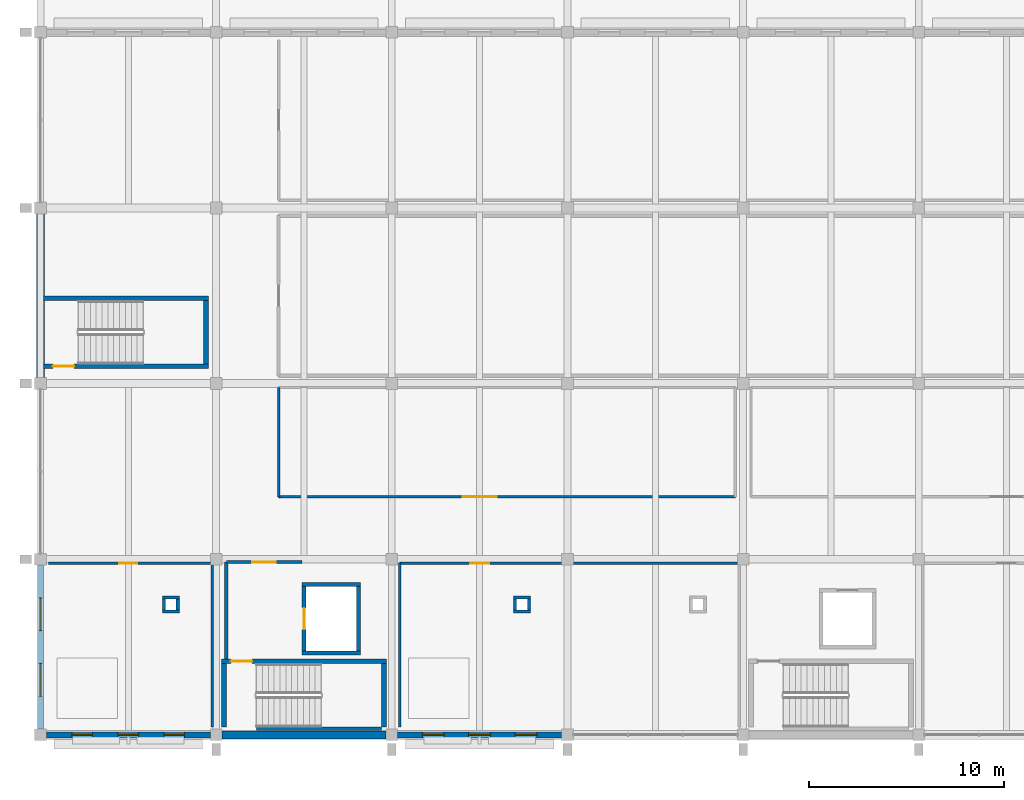
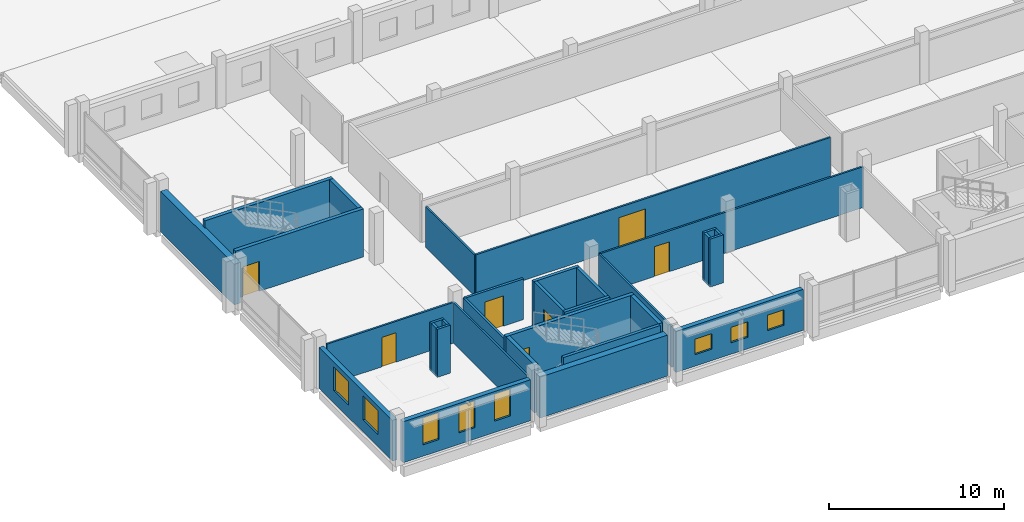
# One storey, part 148 of 163: 32 walls, 8 windows, 7 doors, 15 openings.
"""IFC4 building model written with IfcOpenShell, lengths in metres."""

import ifcopenshell
import ifcopenshell.guid

model = None  # the IFC model being written
_history = None  # IfcOwnerHistory: only IFC2X3 demands one
_inside = {}  # id of a spatial element -> (the spatial element, [elements in it])
_under = {}  # id of a project, library or spatial element -> (it, [spatial elements below it])
_declared = {}  # id of a project -> (the project, [libraries it declares])
_typed = {}  # id of a type object -> (the type object, [elements of that type])
_made_of = {}  # id of a material, layer set ... -> (it, [elements and type objects made of it])


def new_model(schema):
    """Start an empty IFC model of exactly this schema.

    Asked for "IFC4X3", IfcOpenShell would pick the latest addendum, in which some entities
    have other attributes; the version numbers below select the first issue.
    IFC2X3 requires an IfcOwnerHistory on every rooted entity: one is made here for all.
    """
    global model, _history
    if schema == "IFC4X3":
        model = ifcopenshell.file(schema_version=(4, 3, 0, 0))
    else:
        model = ifcopenshell.file(schema=schema)
    _inside.clear()
    _under.clear()
    _declared.clear()
    _typed.clear()
    _made_of.clear()
    _history = None
    if model.schema == "IFC2X3":
        org = make("IfcOrganization", Name="unknown")
        user = make(
            "IfcPersonAndOrganization",
            ThePerson=make("IfcPerson", FamilyName="unknown"),
            TheOrganization=org,
        )
        app = make(
            "IfcApplication",
            ApplicationDeveloper=org,
            Version="unknown",
            ApplicationFullName="unknown",
            ApplicationIdentifier="unknown",
        )
        _history = make(
            "IfcOwnerHistory",
            OwningUser=user,
            OwningApplication=app,
            ChangeAction="ADDED",
            CreationDate=0,
        )
    return model


def make(cls, **values):
    """One entity of the class cls with the attributes given. An attribute that is None is left unset."""
    return model.create_entity(
        cls, **{name: value for name, value in values.items() if value is not None}
    )


def rooted(cls, **values):
    """An entity with a GlobalId (a new one), such as an element, a storey or a relation."""
    return make(cls, GlobalId=ifcopenshell.guid.new(), OwnerHistory=_history, **values)


def si_unit(unit_type, name, prefix=None):
    """IfcSIUnit, for example si_unit("LENGTHUNIT", "METRE", prefix="MILLI")."""
    return make("IfcSIUnit", UnitType=unit_type, Prefix=prefix, Name=name)


def assignment(units):
    """IfcUnitAssignment: the units of a project."""
    return None if units is None else make("IfcUnitAssignment", Units=units)


def point(xyz):
    """IfcCartesianPoint."""
    return None if xyz is None else make("IfcCartesianPoint", Coordinates=xyz)


def direction(xyz):
    """IfcDirection."""
    return None if xyz is None else make("IfcDirection", DirectionRatios=xyz)


def frame(location, z_axis=None, x_axis=None):
    """IfcAxis2Placement3D, a coordinate frame: its origin and axes. An axis left out is left unset."""
    return make(
        "IfcAxis2Placement3D",
        Location=point(location),
        Axis=direction(z_axis),
        RefDirection=direction(x_axis),
    )


def frame_2d(location, x_axis=None):
    """IfcAxis2Placement2D, a coordinate frame in the plane: its origin and x axis."""
    return make(
        "IfcAxis2Placement2D", Location=point(location), RefDirection=direction(x_axis)
    )


def origin():
    """The frame at (0, 0, 0) with its axes left unset."""
    return frame((0.0, 0.0, 0.0))


def place(relative_to, where):
    """IfcLocalPlacement: puts the frame where relative to a parent placement (None: the world)."""
    return make(
        "IfcLocalPlacement", PlacementRelTo=relative_to, RelativePlacement=where
    )


def context(
    kind, dimensions, precision=None, world=None, true_north=None, identifier=None
):
    """IfcGeometricRepresentationContext, for example the 3D "Model" context."""
    return make(
        "IfcGeometricRepresentationContext",
        ContextIdentifier=identifier,
        ContextType=kind,
        CoordinateSpaceDimension=dimensions,
        Precision=precision,
        WorldCoordinateSystem=world,
        TrueNorth=true_north,
    )


def subcontext(parent, identifier, kind, view, scale=None):
    """IfcGeometricRepresentationSubContext, for example "Body" below "Model"."""
    return make(
        "IfcGeometricRepresentationSubContext",
        ContextIdentifier=identifier,
        ContextType=kind,
        ParentContext=parent,
        TargetScale=scale,
        TargetView=view,
    )


def project(units=None, contexts=None):
    """IfcProject with its units and contexts."""
    return rooted(
        "IfcProject",
        Name="project",
        RepresentationContexts=contexts,
        UnitsInContext=assignment(units),
    )


def spatial(cls, under=None, at=None, **own):
    """A site, building, storey or space (cls), placed at a placement, below another one or the project."""
    s = rooted(cls, ObjectPlacement=at, **own)
    if under is not None:
        _under.setdefault(under.id(), (under, []))[1].append(s)
    return s


def profile(cls, at=None, kind="AREA", **sizes):
    """A parametric profile (cls). Its sizes go by their IFC names, for example OverallWidth=200.0."""
    return make(cls, ProfileType=kind, Position=at, **sizes)


def rectangle(**sizes):
    """IfcRectangleProfileDef."""
    return profile("IfcRectangleProfileDef", **sizes)


def extrude(swept, where, along, depth):
    """IfcExtrudedAreaSolid: the profile swept, set in the frame where, extruded along a direction by depth."""
    return make(
        "IfcExtrudedAreaSolid",
        SweptArea=swept,
        Position=where,
        ExtrudedDirection=direction(along),
        Depth=depth,
    )


def shape(context_of_items, identifier, shape_type, items):
    """IfcShapeRepresentation: the items that make up one representation, for example the "Body"."""
    return make(
        "IfcShapeRepresentation",
        ContextOfItems=context_of_items,
        RepresentationIdentifier=identifier,
        RepresentationType=shape_type,
        Items=items,
    )


def material(Name=None, Category=None):
    """IfcMaterial."""
    return make("IfcMaterial", Name=Name, Category=Category)


def layer(
    of_material, thickness, ventilated=None, Name=None, Category=None, Priority=None
):
    """IfcMaterialLayer: one layer of a wall or slab, of a material (None: an air gap)."""
    return make(
        "IfcMaterialLayer",
        Material=of_material,
        LayerThickness=thickness,
        IsVentilated=ventilated,
        Name=Name,
        Category=Category,
        Priority=Priority,
    )


def layer_set(layers, Name=None):
    """IfcMaterialLayerSet."""
    return make("IfcMaterialLayerSet", MaterialLayers=layers, LayerSetName=Name)


def made_of(thing, what):
    """Note that an element or type object is made of a material, layer set ...; save() writes the relation."""
    if what is not None:
        _made_of.setdefault(what.id(), (what, []))[1].append(thing)
    return thing


def type_object(cls, material=None, **own):
    """A type object (cls), such as IfcWallType, which elements share."""
    return made_of(rooted(cls, **own), material)


def element(
    cls,
    number,
    at=None,
    inside=None,
    cuts=None,
    type_object=None,
    material=None,
    context=None,
    identifier="Body",
    shape_type=None,
    held_by="IfcProductDefinitionShape",
    body=None,
    shapes=None,
    **own,
):
    """One element of the class cls, such as IfcWall. Its Tag is "e" and its number.

    at: its placement. inside: the storey or other place that contains it. cuts: it is an
    opening in that element (IfcRelVoidsElement). A single representation is given by context,
    identifier, shape_type and body (its items); several are given by shapes. held_by: the class
    of the entity that holds the representations. save() writes the other relations.
    """
    e = rooted(cls, Tag="e%d" % number, ObjectPlacement=at, **own)
    if body is not None:
        shapes = [shape(context, identifier, shape_type, body)]
    if shapes is not None:
        e.Representation = make(held_by, Representations=shapes)
    if inside is not None:
        _inside.setdefault(inside.id(), (inside, []))[1].append(e)
    if cuts is not None:
        rooted(
            "IfcRelVoidsElement", RelatingBuildingElement=cuts, RelatedOpeningElement=e
        )
    if type_object is not None:
        _typed.setdefault(type_object.id(), (type_object, []))[1].append(e)
    return made_of(e, material)


def fill(opening, filler):
    """IfcRelFillsElement: the door or window that sits in an opening."""
    return rooted(
        "IfcRelFillsElement",
        RelatingOpeningElement=opening,
        RelatedBuildingElement=filler,
    )


def aggregate(whole, parts):
    """IfcRelAggregates: a whole, such as a stair, and the parts it consists of."""
    return rooted("IfcRelAggregates", RelatingObject=whole, RelatedObjects=parts)


def save(model, path):
    """Write the relations noted so far, then the file.

    IfcRelAggregates (storeys below a building ...), IfcRelContainedInSpatialStructure (elements
    in a storey), IfcRelDefinesByType, IfcRelAssociatesMaterial and IfcRelDeclares: one each for
    every whole, place, type object, material and project.
    """
    for whole, parts in _under.values():
        aggregate(whole, parts)
    for where, things in _inside.values():
        rooted(
            "IfcRelContainedInSpatialStructure",
            RelatedElements=things,
            RelatingStructure=where,
        )
    for kind, things in _typed.values():
        rooted("IfcRelDefinesByType", RelatedObjects=things, RelatingType=kind)
    for what, things in _made_of.values():
        rooted("IfcRelAssociatesMaterial", RelatedObjects=things, RelatingMaterial=what)
    for by, libraries in _declared.values():
        rooted("IfcRelDeclares", RelatingContext=by, RelatedDefinitions=libraries)
    model.write(path)


model = new_model("IFC4")

# Units and contexts
model_context = context("Model", 3, precision=1e-05, world=origin(), true_north=direction((0.0, 1.0)))
body_context = subcontext(model_context, "Body", "Model", "MODEL_VIEW")
ifc_project = project(units=[si_unit("LENGTHUNIT", "METRE"), si_unit("AREAUNIT", "SQUARE_METRE"), si_unit("VOLUMEUNIT", "CUBIC_METRE"), si_unit("PLANEANGLEUNIT", "RADIAN"), si_unit("MASSUNIT", "GRAM", prefix="KILO")], contexts=[model_context])

# Site, building, storey
site_placement = place(None, origin())
site = spatial("IfcSite", under=ifc_project, at=site_placement, CompositionType="ELEMENT")
building_placement = place(site_placement, origin())
building = spatial("IfcBuilding", under=site, at=building_placement, Name="Tharagai Park Tramway Depot", CompositionType="ELEMENT")
storey_placement = place(building_placement, frame((0.0, 0.0, 8.39990234375)))
storey = spatial("IfcBuildingStorey", under=building, at=storey_placement, Name="L02", CompositionType="ELEMENT", Elevation=8.39990234375)

# Walls
ifc_material_1 = material(Name="Charnockite stone", Category="masonry")
ifc_layer_1 = layer(ifc_material_1, 0.419921875)
ifc_layer_set_1 = layer_set([ifc_layer_1], Name="Charnockite stone")
wall_type_1 = type_object("IfcWallType", Name="EW-07", PredefinedType="SOLIDWALL", material=ifc_layer_set_1)
wall_1_placement = place(storey_placement, frame((9.298095703125, 0.0, 0.0), z_axis=(0.0, 0.0, 1.0), x_axis=(1.0, 0.0, 0.0)))
element("IfcWall", 1, at=wall_1_placement, inside=storey, type_object=wall_type_1, Name="L02 V4 Exterior Masonry Wall EW-07", PredefinedType="SOLIDWALL", context=body_context, shape_type="SweptSolid", body=[
    extrude(rectangle(XDim=8.40380859375, YDim=0.419921875, at=frame_2d((4.201904296875, 0.0))), origin(), (0.0, 0.0, 1.0), 2.862060546875),
])
wall_2_placement = place(storey_placement, frame((0.0, 18.298095703125, 0.0), z_axis=(0.0, 0.0, 1.0), x_axis=(0.0, 1.0, 0.0)))
element("IfcWall", 2, at=wall_2_placement, inside=storey, type_object=wall_type_1, Name="L02 V4 Exterior Masonry Wall EW-07", PredefinedType="SOLIDWALL", context=body_context, shape_type="SweptSolid", body=[
    extrude(rectangle(XDim=8.40380859375, YDim=0.419921875, at=frame_2d((4.201904296875, 0.0))), origin(), (0.0, 0.0, 1.0), 2.842041015625),
])

# Wall, openings, windows
ifc_material_2 = material(Name="Pressed clay brick", Category="masonry")
ifc_layer_2 = layer(ifc_material_2, 0.300048828125)
ifc_layer_set_2 = layer_set([ifc_layer_2], Name="Pressed clay brick")
wall_type_2 = type_object("IfcWallType", Name="EW-08", PredefinedType="SOLIDWALL", material=ifc_layer_set_2)
wall_3_placement = place(storey_placement, frame((0.298095703125, 0.0, 0.0), z_axis=(0.0, 0.0, 1.0), x_axis=(1.0, 0.0, 0.0)))
wall_3 = element("IfcWall", 3, at=wall_3_placement, inside=storey, type_object=wall_type_2, Name="L02 V4 Exterior Masonry Wall EW-08", PredefinedType="SOLIDWALL", context=body_context, shape_type="SweptSolid", body=[
    extrude(rectangle(XDim=8.40380859375, YDim=0.300048828125, at=frame_2d((4.201904296875, 0.0))), origin(), (0.0, 0.0, 1.0), 2.862060546875),
])
opening_1_placement = place(wall_3_placement, frame((1.31298828125, 0.0, 0.800048828125)))
opening_1 = element("IfcOpeningElement", 4, at=opening_1_placement, cuts=wall_3, Name="Opening WN-18", PredefinedType="OPENING", context=body_context, shape_type="SweptSolid", body=[
    extrude(rectangle(XDim=1.050048828125, YDim=1.8798828125, at=frame_2d((0.52490234375, 0.93994140625))), frame((0.0, 0.159912109375, 0.0), z_axis=(0.0, -1.0, 0.0), x_axis=(1.0, 0.0, 0.0)), (0.0, 0.0, 1.0), 0.320068359375),
])
opening_2_placement = place(wall_3_placement, frame((3.677001953125, 0.0, 0.800048828125)))
opening_2 = element("IfcOpeningElement", 5, at=opening_2_placement, cuts=wall_3, Name="Opening WN-18", PredefinedType="OPENING", context=body_context, shape_type="SweptSolid", body=[
    extrude(rectangle(XDim=1.050048828125, YDim=1.8798828125, at=frame_2d((0.52490234375, 0.93994140625))), frame((0.0, 0.159912109375, 0.0), z_axis=(0.0, -1.0, 0.0), x_axis=(1.0, 0.0, 0.0)), (0.0, 0.0, 1.0), 0.320068359375),
])
opening_3_placement = place(wall_3_placement, frame((6.0400390625, 0.0, 0.800048828125)))
opening_3 = element("IfcOpeningElement", 6, at=opening_3_placement, cuts=wall_3, Name="Opening WN-18", PredefinedType="OPENING", context=body_context, shape_type="SweptSolid", body=[
    extrude(rectangle(XDim=1.050048828125, YDim=1.8798828125, at=frame_2d((0.52490234375, 0.93994140625))), frame((0.0, 0.159912109375, 0.0), z_axis=(0.0, -1.0, 0.0), x_axis=(1.0, 0.0, 0.0)), (0.0, 0.0, 1.0), 0.320068359375),
])
ifc_material_3 = material(Name="Laminated solar-control glass", Category="glass")
window_type_1 = type_object("IfcWindowType", Name="WN-18", PartitioningType="SINGLE_PANEL", PredefinedType="WINDOW", material=ifc_material_3)
window_1_placement = place(opening_1_placement, origin())
window_1 = element("IfcWindow", 7, at=window_1_placement, inside=storey, type_object=window_type_1, Name="L02 V4 Gothic Lancet Window WN-18", OverallHeight=1.8798828125, OverallWidth=1.050048828125, PartitioningType="SINGLE_PANEL", PredefinedType="WINDOW", context=body_context, shape_type="SweptSolid", body=[
    extrude(rectangle(XDim=1.050048828125, YDim=1.8798828125, at=frame_2d((0.52490234375, 0.93994140625))), frame((0.0, 0.030029296875, 0.0), z_axis=(0.0, -1.0, 0.0), x_axis=(1.0, 0.0, 0.0)), (0.0, 0.0, 1.0), 0.06005859375),
])
fill(opening_1, window_1)
window_2_placement = place(opening_2_placement, origin())
window_2 = element("IfcWindow", 8, at=window_2_placement, inside=storey, type_object=window_type_1, Name="L02 V4 Gothic Lancet Window WN-18", OverallHeight=1.8798828125, OverallWidth=1.050048828125, PartitioningType="SINGLE_PANEL", PredefinedType="WINDOW", context=body_context, shape_type="SweptSolid", body=[
    extrude(rectangle(XDim=1.050048828125, YDim=1.8798828125, at=frame_2d((0.52490234375, 0.93994140625))), frame((0.0, 0.030029296875, 0.0), z_axis=(0.0, -1.0, 0.0), x_axis=(1.0, 0.0, 0.0)), (0.0, 0.0, 1.0), 0.06005859375),
])
fill(opening_2, window_2)
window_3_placement = place(opening_3_placement, origin())
window_3 = element("IfcWindow", 9, at=window_3_placement, inside=storey, type_object=window_type_1, Name="L02 V4 Gothic Lancet Window WN-18", OverallHeight=1.8798828125, OverallWidth=1.050048828125, PartitioningType="SINGLE_PANEL", PredefinedType="WINDOW", context=body_context, shape_type="SweptSolid", body=[
    extrude(rectangle(XDim=1.050048828125, YDim=1.8798828125, at=frame_2d((0.52490234375, 0.93994140625))), frame((0.0, 0.030029296875, 0.0), z_axis=(0.0, -1.0, 0.0), x_axis=(1.0, 0.0, 0.0)), (0.0, 0.0, 1.0), 0.06005859375),
])
fill(opening_3, window_3)

wall_4_placement = place(storey_placement, frame((18.298095703125, 0.0, 0.0), z_axis=(0.0, 0.0, 1.0), x_axis=(1.0, 0.0, 0.0)))
wall_4 = element("IfcWall", 10, at=wall_4_placement, inside=storey, type_object=wall_type_2, Name="L02 V4 Exterior Masonry Wall EW-08", PredefinedType="SOLIDWALL", context=body_context, shape_type="SweptSolid", body=[
    extrude(rectangle(XDim=8.40380859375, YDim=0.300048828125, at=frame_2d((4.201904296875, 0.0))), origin(), (0.0, 0.0, 1.0), 2.862060546875),
])
opening_4_placement = place(wall_4_placement, frame((1.260986328125, 0.0, 0.800048828125)))
opening_4 = element("IfcOpeningElement", 11, at=opening_4_placement, cuts=wall_4, Name="Opening WN-24", PredefinedType="OPENING", context=body_context, shape_type="SweptSolid", body=[
    extrude(rectangle(XDim=1.1201171875, YDim=1.080078125, at=frame_2d((0.56005859375, 0.5400390625))), frame((0.0, 0.159912109375, 0.0), z_axis=(0.0, -1.0, 0.0), x_axis=(1.0, 0.0, 0.0)), (0.0, 0.0, 1.0), 0.320068359375),
])
opening_5_placement = place(wall_4_placement, frame((3.64208984375, 0.0, 0.800048828125)))
opening_5 = element("IfcOpeningElement", 12, at=opening_5_placement, cuts=wall_4, Name="Opening WN-24", PredefinedType="OPENING", context=body_context, shape_type="SweptSolid", body=[
    extrude(rectangle(XDim=1.1201171875, YDim=1.080078125, at=frame_2d((0.56005859375, 0.5400390625))), frame((0.0, 0.159912109375, 0.0), z_axis=(0.0, -1.0, 0.0), x_axis=(1.0, 0.0, 0.0)), (0.0, 0.0, 1.0), 0.320068359375),
])
opening_6_placement = place(wall_4_placement, frame((6.02294921875, 0.0, 0.800048828125)))
opening_6 = element("IfcOpeningElement", 13, at=opening_6_placement, cuts=wall_4, Name="Opening WN-24", PredefinedType="OPENING", context=body_context, shape_type="SweptSolid", body=[
    extrude(rectangle(XDim=1.1201171875, YDim=1.080078125, at=frame_2d((0.56005859375, 0.5400390625))), frame((0.0, 0.159912109375, 0.0), z_axis=(0.0, -1.0, 0.0), x_axis=(1.0, 0.0, 0.0)), (0.0, 0.0, 1.0), 0.320068359375),
])
window_type_2 = type_object("IfcWindowType", Name="WN-24", PartitioningType="SINGLE_PANEL", PredefinedType="WINDOW", material=ifc_material_3)
window_4_placement = place(opening_4_placement, origin())
window_4 = element("IfcWindow", 14, at=window_4_placement, inside=storey, type_object=window_type_2, Name="L02 V4 Gothic Lancet Window WN-24", OverallHeight=1.080078125, OverallWidth=1.1201171875, PartitioningType="SINGLE_PANEL", PredefinedType="WINDOW", context=body_context, shape_type="SweptSolid", body=[
    extrude(rectangle(XDim=1.1201171875, YDim=1.080078125, at=frame_2d((0.56005859375, 0.5400390625))), frame((0.0, 0.030029296875, 0.0), z_axis=(0.0, -1.0, 0.0), x_axis=(1.0, 0.0, 0.0)), (0.0, 0.0, 1.0), 0.06005859375),
])
fill(opening_4, window_4)
window_5_placement = place(opening_5_placement, origin())
window_5 = element("IfcWindow", 15, at=window_5_placement, inside=storey, type_object=window_type_2, Name="L02 V4 Gothic Lancet Window WN-24", OverallHeight=1.080078125, OverallWidth=1.1201171875, PartitioningType="SINGLE_PANEL", PredefinedType="WINDOW", context=body_context, shape_type="SweptSolid", body=[
    extrude(rectangle(XDim=1.1201171875, YDim=1.080078125, at=frame_2d((0.56005859375, 0.5400390625))), frame((0.0, 0.030029296875, 0.0), z_axis=(0.0, -1.0, 0.0), x_axis=(1.0, 0.0, 0.0)), (0.0, 0.0, 1.0), 0.06005859375),
])
fill(opening_5, window_5)
window_6_placement = place(opening_6_placement, origin())
window_6 = element("IfcWindow", 16, at=window_6_placement, inside=storey, type_object=window_type_2, Name="L02 V4 Gothic Lancet Window WN-24", OverallHeight=1.080078125, OverallWidth=1.1201171875, PartitioningType="SINGLE_PANEL", PredefinedType="WINDOW", context=body_context, shape_type="SweptSolid", body=[
    extrude(rectangle(XDim=1.1201171875, YDim=1.080078125, at=frame_2d((0.56005859375, 0.5400390625))), frame((0.0, 0.030029296875, 0.0), z_axis=(0.0, -1.0, 0.0), x_axis=(1.0, 0.0, 0.0)), (0.0, 0.0, 1.0), 0.06005859375),
])
fill(opening_6, window_6)

wall_5_placement = place(storey_placement, frame((0.0, 0.298095703125, 0.0), z_axis=(0.0, 0.0, 1.0), x_axis=(0.0, 1.0, 0.0)))
wall_5 = element("IfcWall", 17, at=wall_5_placement, inside=storey, type_object=wall_type_2, Name="L02 V4 Exterior Masonry Wall EW-08", PredefinedType="SOLIDWALL", context=body_context, shape_type="SweptSolid", body=[
    extrude(rectangle(XDim=8.40380859375, YDim=0.300048828125, at=frame_2d((4.201904296875, 0.0))), origin(), (0.0, 0.0, 1.0), 2.842041015625),
])
opening_7_placement = place(wall_5_placement, frame((1.680908203125, 0.0, 0.85009765625)))
opening_7 = element("IfcOpeningElement", 18, at=opening_7_placement, cuts=wall_5, Name="Opening WN-38", PredefinedType="OPENING", context=body_context, shape_type="SweptSolid", body=[
    extrude(rectangle(XDim=1.679931640625, YDim=1.659912109375, at=frame_2d((0.83984375, 0.830078125))), frame((0.0, 0.159912109375, 0.0), z_axis=(0.0, -1.0, 0.0), x_axis=(1.0, 0.0, 0.0)), (0.0, 0.0, 1.0), 0.320068359375),
])
opening_8_placement = place(wall_5_placement, frame((5.04296875, 0.0, 0.85009765625)))
opening_8 = element("IfcOpeningElement", 19, at=opening_8_placement, cuts=wall_5, Name="Opening WN-38", PredefinedType="OPENING", context=body_context, shape_type="SweptSolid", body=[
    extrude(rectangle(XDim=1.679931640625, YDim=1.659912109375, at=frame_2d((0.83984375, 0.830078125))), frame((0.0, 0.159912109375, 0.0), z_axis=(0.0, -1.0, 0.0), x_axis=(1.0, 0.0, 0.0)), (0.0, 0.0, 1.0), 0.320068359375),
])
window_type_3 = type_object("IfcWindowType", Name="WN-38", PartitioningType="SINGLE_PANEL", PredefinedType="WINDOW", material=ifc_material_3)
window_7_placement = place(opening_7_placement, origin())
window_7 = element("IfcWindow", 20, at=window_7_placement, inside=storey, type_object=window_type_3, Name="L02 V4 Side Lancet Window WN-38", OverallHeight=1.659912109375, OverallWidth=1.679931640625, PartitioningType="SINGLE_PANEL", PredefinedType="WINDOW", context=body_context, shape_type="SweptSolid", body=[
    extrude(rectangle(XDim=1.679931640625, YDim=1.659912109375, at=frame_2d((0.83984375, 0.830078125))), frame((0.0, 0.030029296875, 0.0), z_axis=(0.0, -1.0, 0.0), x_axis=(1.0, 0.0, 0.0)), (0.0, 0.0, 1.0), 0.06005859375),
])
fill(opening_7, window_7)
window_8_placement = place(opening_8_placement, origin())
window_8 = element("IfcWindow", 21, at=window_8_placement, inside=storey, type_object=window_type_3, Name="L02 V4 Side Lancet Window WN-38", OverallHeight=1.659912109375, OverallWidth=1.679931640625, PartitioningType="SINGLE_PANEL", PredefinedType="WINDOW", context=body_context, shape_type="SweptSolid", body=[
    extrude(rectangle(XDim=1.679931640625, YDim=1.659912109375, at=frame_2d((0.83984375, 0.830078125))), frame((0.0, 0.030029296875, 0.0), z_axis=(0.0, -1.0, 0.0), x_axis=(1.0, 0.0, 0.0)), (0.0, 0.0, 1.0), 0.06005859375),
])
fill(opening_8, window_8)

# Walls
ifc_layer_3 = layer(ifc_material_2, 0.159912109375)
ifc_layer_set_3 = layer_set([ifc_layer_3], Name="Pressed clay brick")
wall_type_3 = type_object("IfcWallType", Name="IW-02", PredefinedType="PARTITIONING", material=ifc_layer_set_3)
for number, where, z_axis, x_axis, name in (
    (22, (6.239990234375, 6.320068359375, 0.0), (0.0, 0.0, 1.0), (1.0, 0.0, 0.0), "L02 Pipe Riser Enclosure Wall 39 S"),
    (23, (6.239990234375, 7.030029296875, 0.0), (0.0, 0.0, 1.0), (1.0, 0.0, 0.0), "L02 Pipe Riser Enclosure Wall 39 N"),
):
    element("IfcWall", number, at=place(storey_placement, frame(where, z_axis=z_axis, x_axis=x_axis)), inside=storey, type_object=wall_type_3, Name=name, PredefinedType="PARTITIONING", context=body_context, shape_type="SweptSolid", body=[
        extrude(rectangle(XDim=0.8701171875, YDim=0.159912109375, at=frame_2d((0.43505859375, 0.0))), origin(), (0.0, 0.0, 1.0), 3.35009765625),
    ])
for number, where, z_axis, x_axis, name in (
    (24, (6.320068359375, 6.39990234375, 0.0), (0.0, 0.0, 1.0), (0.0, 1.0, 0.0), "L02 Pipe Riser Enclosure Wall 39 W"),
    (25, (7.030029296875, 6.39990234375, 0.0), (0.0, 0.0, 1.0), (0.0, 1.0, 0.0), "L02 Pipe Riser Enclosure Wall 39 E"),
):
    element("IfcWall", number, at=place(storey_placement, frame(where, z_axis=z_axis, x_axis=x_axis)), inside=storey, type_object=wall_type_3, Name=name, PredefinedType="PARTITIONING", context=body_context, shape_type="SweptSolid", body=[
        extrude(rectangle(XDim=0.550048828125, YDim=0.159912109375, at=frame_2d((0.27490234375, 0.0))), origin(), (0.0, 0.0, 1.0), 3.35009765625),
    ])
for number, where, z_axis, x_axis, name in (
    (26, (24.239990234375, 6.320068359375, 0.0), (0.0, 0.0, 1.0), (1.0, 0.0, 0.0), "L02 Pipe Riser Enclosure Wall 40 S"),
    (27, (24.239990234375, 7.030029296875, 0.0), (0.0, 0.0, 1.0), (1.0, 0.0, 0.0), "L02 Pipe Riser Enclosure Wall 40 N"),
):
    element("IfcWall", number, at=place(storey_placement, frame(where, z_axis=z_axis, x_axis=x_axis)), inside=storey, type_object=wall_type_3, Name=name, PredefinedType="PARTITIONING", context=body_context, shape_type="SweptSolid", body=[
        extrude(rectangle(XDim=0.8701171875, YDim=0.159912109375, at=frame_2d((0.43505859375, 0.0))), origin(), (0.0, 0.0, 1.0), 3.35009765625),
    ])
for number, where, z_axis, x_axis, name in (
    (28, (24.320068359375, 6.39990234375, 0.0), (0.0, 0.0, 1.0), (0.0, 1.0, 0.0), "L02 Pipe Riser Enclosure Wall 40 W"),
    (29, (25.030029296875, 6.39990234375, 0.0), (0.0, 0.0, 1.0), (0.0, 1.0, 0.0), "L02 Pipe Riser Enclosure Wall 40 E"),
):
    element("IfcWall", number, at=place(storey_placement, frame(where, z_axis=z_axis, x_axis=x_axis)), inside=storey, type_object=wall_type_3, Name=name, PredefinedType="PARTITIONING", context=body_context, shape_type="SweptSolid", body=[
        extrude(rectangle(XDim=0.550048828125, YDim=0.159912109375, at=frame_2d((0.27490234375, 0.0))), origin(), (0.0, 0.0, 1.0), 3.35009765625),
    ])

# Wall, opening, door
wall_6_placement = place(storey_placement, frame((9.52001953125, 8.85009765625, 0.0), z_axis=(0.0, 0.0, 1.0), x_axis=(1.0, 0.0, 0.0)))
wall_6 = element("IfcWall", 30, at=wall_6_placement, inside=storey, type_object=wall_type_3, Name="Firefighting Lobby L02 Partition North", PredefinedType="PARTITIONING", context=body_context, shape_type="SweptSolid", body=[
    extrude(rectangle(XDim=3.8798828125, YDim=0.159912109375, at=frame_2d((1.93994140625, 0.0))), origin(), (0.0, 0.0, 1.0), 2.84521484375),
])
opening_9_placement = place(wall_6_placement, frame((1.320068359375, 0.0, 0.0)))
opening_9 = element("IfcOpeningElement", 31, at=opening_9_placement, cuts=wall_6, Name="Opening ID-10", PredefinedType="OPENING", context=body_context, shape_type="SweptSolid", body=[
    extrude(rectangle(XDim=1.219970703125, YDim=2.1201171875, at=frame_2d((0.60986328125, 1.06005859375))), frame((0.0, 0.08984375, 0.0), z_axis=(0.0, -1.0, 0.0), x_axis=(1.0, 0.0, 0.0)), (0.0, 0.0, 1.0), 0.179931640625),
])
ifc_material_4 = material(Name="Galvanised steel", Category="steel")
door_type_1 = type_object("IfcDoorType", Name="ID-10", OperationType="NOTDEFINED", PredefinedType="DOOR", material=ifc_material_4)
door_1_placement = place(opening_9_placement, origin())
door_1 = element("IfcDoor", 32, at=door_1_placement, inside=storey, type_object=door_type_1, Name="Firefighting Lobby L02 Door", OperationType="SINGLE_SWING_LEFT", OverallHeight=2.1201171875, OverallWidth=1.219970703125, PredefinedType="DOOR", context=body_context, shape_type="SweptSolid", body=[
    extrude(rectangle(XDim=1.219970703125, YDim=2.1201171875, at=frame_2d((0.60986328125, 1.06005859375))), frame((0.0, 0.02490234375, 0.0), z_axis=(0.0, -1.0, 0.0), x_axis=(1.0, 0.0, 0.0)), (0.0, 0.0, 1.0), 0.050048828125),
])
fill(opening_9, door_1)

# Wall
wall_7_placement = place(storey_placement, frame((9.52001953125, 3.889892578125, 0.0), z_axis=(0.0, 0.0, 1.0), x_axis=(0.0, 1.0, 0.0)))
element("IfcWall", 33, at=wall_7_placement, inside=storey, type_object=wall_type_3, Name="Firefighting Lobby L02 Partition West", PredefinedType="PARTITIONING", context=body_context, shape_type="SweptSolid", body=[
    extrude(rectangle(XDim=4.960205078125, YDim=0.159912109375, at=frame_2d((2.47998046875, 0.0))), origin(), (0.0, 0.0, 1.0), 2.84521484375),
])

# Wall, opening, door
ifc_material_5 = material(Name="Gypsum board", Category="gypsum")
ifc_layer_4 = layer(ifc_material_5, 0.1201171875)
ifc_layer_set_4 = layer_set([ifc_layer_4], Name="Gypsum board")
wall_type_4 = type_object("IfcWallType", Name="IW-03", PredefinedType="PARTITIONING", material=ifc_layer_set_4)
wall_8_placement = place(storey_placement, frame((0.39990234375, 8.800048828125, 0.0), z_axis=(0.0, 0.0, 1.0), x_axis=(1.0, 0.0, 0.0)))
wall_8 = element("IfcWall", 34, at=wall_8_placement, inside=storey, type_object=wall_type_4, Name="Network Incident Command Room Partition North", PredefinedType="PARTITIONING", context=body_context, shape_type="SweptSolid", body=[
    extrude(rectangle(XDim=8.400146484375, YDim=0.1201171875, at=frame_2d((4.2001953125, 0.0))), origin(), (0.0, 0.0, 1.0), 2.84521484375),
])
opening_10_placement = place(wall_8_placement, frame((3.6298828125, 0.0, 0.0)))
opening_10 = element("IfcOpeningElement", 35, at=opening_10_placement, cuts=wall_8, Name="Opening ID-03", PredefinedType="OPENING", context=body_context, shape_type="SweptSolid", body=[
    extrude(rectangle(XDim=0.93994140625, YDim=2.06005859375, at=frame_2d((0.469970703125, 1.030029296875))), frame((0.0, 0.070068359375, 0.0), z_axis=(0.0, -1.0, 0.0), x_axis=(1.0, 0.0, 0.0)), (0.0, 0.0, 1.0), 0.14013671875),
])
ifc_material_6 = material(Name="Pressed timber", Category="wood")
door_type_2 = type_object("IfcDoorType", Name="ID-03", OperationType="NOTDEFINED", PredefinedType="DOOR", material=ifc_material_6)
door_2_placement = place(opening_10_placement, origin())
door_2 = element("IfcDoor", 36, at=door_2_placement, inside=storey, type_object=door_type_2, Name="Network Incident Command Room Door", OperationType="SINGLE_SWING_RIGHT", OverallHeight=2.06005859375, OverallWidth=0.93994140625, PredefinedType="DOOR", context=body_context, shape_type="SweptSolid", body=[
    extrude(rectangle(XDim=0.93994140625, YDim=2.06005859375, at=frame_2d((0.469970703125, 1.030029296875))), frame((0.0, 0.02490234375, 0.0), z_axis=(0.0, -1.0, 0.0), x_axis=(1.0, 0.0, 0.0)), (0.0, 0.0, 1.0), 0.050048828125),
])
fill(opening_10, door_2)

# Wall
wall_9_placement = place(storey_placement, frame((8.800048828125, 0.39990234375, 0.0), z_axis=(0.0, 0.0, 1.0), x_axis=(0.0, 1.0, 0.0)))
element("IfcWall", 37, at=wall_9_placement, inside=storey, type_object=wall_type_4, Name="Network Incident Command Room Partition East", PredefinedType="PARTITIONING", context=body_context, shape_type="SweptSolid", body=[
    extrude(rectangle(XDim=8.400146484375, YDim=0.1201171875, at=frame_2d((4.2001953125, 0.0))), origin(), (0.0, 0.0, 1.0), 2.84521484375),
])

# Wall, opening, door
wall_10_placement = place(storey_placement, frame((18.39990234375, 8.800048828125, 0.0), z_axis=(0.0, 0.0, 1.0), x_axis=(1.0, 0.0, 0.0)))
wall_10 = element("IfcWall", 38, at=wall_10_placement, inside=storey, type_object=wall_type_4, Name="Yard Operations Control Room Partition North", PredefinedType="PARTITIONING", context=body_context, shape_type="SweptSolid", body=[
    extrude(rectangle(XDim=17.400146484375, YDim=0.1201171875, at=frame_2d((8.7001953125, 0.0))), origin(), (0.0, 0.0, 1.0), 2.84521484375),
])
opening_11_placement = place(wall_10_placement, frame((3.610107421875, 0.0, 0.0)))
opening_11 = element("IfcOpeningElement", 39, at=opening_11_placement, cuts=wall_10, Name="Opening ID-02", PredefinedType="OPENING", context=body_context, shape_type="SweptSolid", body=[
    extrude(rectangle(XDim=0.97998046875, YDim=2.080078125, at=frame_2d((0.489990234375, 1.0400390625))), frame((0.0, 0.070068359375, 0.0), z_axis=(0.0, -1.0, 0.0), x_axis=(1.0, 0.0, 0.0)), (0.0, 0.0, 1.0), 0.14013671875),
])
door_type_3 = type_object("IfcDoorType", Name="ID-02", OperationType="NOTDEFINED", PredefinedType="DOOR", material=ifc_material_6)
door_3_placement = place(opening_11_placement, origin())
door_3 = element("IfcDoor", 40, at=door_3_placement, inside=storey, type_object=door_type_3, Name="Yard Operations Control Room Door", OperationType="SINGLE_SWING_LEFT", OverallHeight=2.080078125, OverallWidth=0.97998046875, PredefinedType="DOOR", context=body_context, shape_type="SweptSolid", body=[
    extrude(rectangle(XDim=0.97998046875, YDim=2.080078125, at=frame_2d((0.489990234375, 1.0400390625))), frame((0.0, 0.02490234375, 0.0), z_axis=(0.0, -1.0, 0.0), x_axis=(1.0, 0.0, 0.0)), (0.0, 0.0, 1.0), 0.050048828125),
])
fill(opening_11, door_3)

# Wall
wall_11_placement = place(storey_placement, frame((18.39990234375, 0.39990234375, 0.0), z_axis=(0.0, 0.0, 1.0), x_axis=(0.0, 1.0, 0.0)))
element("IfcWall", 41, at=wall_11_placement, inside=storey, type_object=wall_type_4, Name="Yard Operations Control Room Partition West", PredefinedType="PARTITIONING", context=body_context, shape_type="SweptSolid", body=[
    extrude(rectangle(XDim=8.400146484375, YDim=0.1201171875, at=frame_2d((4.2001953125, 0.0))), origin(), (0.0, 0.0, 1.0), 2.84521484375),
])

# Wall, opening, door
wall_12_placement = place(storey_placement, frame((12.199951171875, 12.199951171875, 0.0), z_axis=(0.0, 0.0, 1.0), x_axis=(1.0, 0.0, 0.0)))
wall_12 = element("IfcWall", 42, at=wall_12_placement, inside=storey, type_object=wall_type_4, Name="Driver Training Room 1 Partition South", PredefinedType="PARTITIONING", context=body_context, shape_type="SweptSolid", body=[
    extrude(rectangle(XDim=23.400146484375, YDim=0.1201171875, at=frame_2d((11.7001953125, 0.0))), origin(), (0.0, 0.0, 1.0), 2.89501953125),
])
opening_12_placement = place(wall_12_placement, frame((9.429931640625, 0.0, 0.0)))
opening_12 = element("IfcOpeningElement", 43, at=opening_12_placement, cuts=wall_12, Name="Opening ID-04", PredefinedType="OPENING", context=body_context, shape_type="SweptSolid", body=[
    extrude(rectangle(XDim=1.739990234375, YDim=2.179931640625, at=frame_2d((0.8701171875, 1.08984375))), frame((0.0, 0.070068359375, 0.0), z_axis=(0.0, -1.0, 0.0), x_axis=(1.0, 0.0, 0.0)), (0.0, 0.0, 1.0), 0.14013671875),
])
ifc_material_7 = material(Name="Anodised aluminium", Category="aluminium")
door_type_4 = type_object("IfcDoorType", Name="ID-04", OperationType="DOUBLE_SWING_LEFT", PredefinedType="DOOR", material=ifc_material_7)
door_4_placement = place(opening_12_placement, frame((1.739990234375, 0.0, 0.0), z_axis=(0.0, 0.0, 1.0), x_axis=(-1.0, 0.0, 0.0)))
door_4 = element("IfcDoor", 44, at=door_4_placement, inside=storey, type_object=door_type_4, Name="Driver Training Room 1 Door", OperationType="DOUBLE_SWING_LEFT", OverallHeight=2.179931640625, OverallWidth=1.739990234375, PredefinedType="DOOR", context=body_context, shape_type="SweptSolid", body=[
    extrude(rectangle(XDim=1.739990234375, YDim=2.179931640625, at=frame_2d((0.8701171875, 1.08984375))), frame((0.0, 0.02490234375, 0.0), z_axis=(0.0, -1.0, 0.0), x_axis=(1.0, 0.0, 0.0)), (0.0, 0.0, 1.0), 0.050048828125),
])
fill(opening_12, door_4)

# Wall
wall_13_placement = place(storey_placement, frame((12.199951171875, 12.199951171875, 0.0), z_axis=(0.0, 0.0, 1.0), x_axis=(0.0, 1.0, 0.0)))
element("IfcWall", 45, at=wall_13_placement, inside=storey, type_object=wall_type_4, Name="Driver Training Room 1 Partition West", PredefinedType="PARTITIONING", context=body_context, shape_type="SweptSolid", body=[
    extrude(rectangle(XDim=5.60009765625, YDim=0.1201171875, at=frame_2d((2.800048828125, 0.0))), origin(), (0.0, 0.0, 1.0), 2.84521484375),
])

# Wall, opening, door
ifc_material_8 = material(Name="Concrete M40", Category="concrete")
ifc_layer_5 = layer(ifc_material_8, 0.239990234375)
ifc_layer_set_5 = layer_set([ifc_layer_5], Name="Concrete M40")
wall_type_5 = type_object("IfcWallType", Name="SW-01", PredefinedType="SHEAR", material=ifc_layer_set_5)
wall_14_placement = place(storey_placement, frame((9.280029296875, 3.77001953125, 0.0), z_axis=(0.0, 0.0, 1.0), x_axis=(1.0, 0.0, 0.0)))
wall_14 = element("IfcWall", 46, at=wall_14_placement, inside=storey, type_object=wall_type_5, Name="Core C1 L02 Shear Wall North", PredefinedType="SHEAR", context=body_context, shape_type="SweptSolid", body=[
    extrude(rectangle(XDim=8.43994140625, YDim=0.239990234375, at=frame_2d((4.219970703125, 0.0))), origin(), (0.0, 0.0, 1.0), 3.35009765625),
])
opening_13_placement = place(wall_14_placement, frame((0.47998046875, 0.0, 0.0)))
opening_13 = element("IfcOpeningElement", 47, at=opening_13_placement, cuts=wall_14, Name="Opening ID-05", PredefinedType="OPENING", context=body_context, shape_type="SweptSolid", body=[
    extrude(rectangle(XDim=1.080078125, YDim=2.080078125, at=frame_2d((0.5400390625, 1.0400390625))), frame((0.0, 0.1298828125, 0.0), z_axis=(0.0, -1.0, 0.0), x_axis=(1.0, 0.0, 0.0)), (0.0, 0.0, 1.0), 0.260009765625),
])
door_type_5 = type_object("IfcDoorType", Name="ID-05", OperationType="NOTDEFINED", PredefinedType="DOOR", material=ifc_material_4)
door_5_placement = place(opening_13_placement, frame((1.080078125, 0.0, 0.0), z_axis=(0.0, 0.0, 1.0), x_axis=(-1.0, 0.0, 0.0)))
door_5 = element("IfcDoor", 48, at=door_5_placement, inside=storey, type_object=door_type_5, Name="Stair ST-01 L02 Fire Door", OperationType="SINGLE_SWING_LEFT", OverallHeight=2.080078125, OverallWidth=1.080078125, PredefinedType="DOOR", context=body_context, shape_type="SweptSolid", body=[
    extrude(rectangle(XDim=1.080078125, YDim=2.080078125, at=frame_2d((0.5400390625, 1.0400390625))), frame((0.0, 0.02490234375, 0.0), z_axis=(0.0, -1.0, 0.0), x_axis=(1.0, 0.0, 0.0)), (0.0, 0.0, 1.0), 0.050048828125),
])
fill(opening_13, door_5)

# Walls
for number, where, z_axis, x_axis, name in (
    (49, (9.39990234375, 0.39990234375, 0.0), (0.0, 0.0, 1.0), (0.0, 1.0, 0.0), "Core C1 L02 Shear Wall West"),
    (50, (17.60009765625, 0.39990234375, 0.0), (0.0, 0.0, 1.0), (0.0, 1.0, 0.0), "Core C1 L02 Shear Wall East"),
):
    element("IfcWall", number, at=place(storey_placement, frame(where, z_axis=z_axis, x_axis=x_axis)), inside=storey, type_object=wall_type_5, Name=name, PredefinedType="SHEAR", context=body_context, shape_type="SweptSolid", body=[
        extrude(rectangle(XDim=3.25, YDim=0.239990234375, at=frame_2d((1.625, 0.0))), origin(), (0.0, 0.0, 1.0), 3.35009765625),
    ])

# Wall, opening, door
wall_15_placement = place(storey_placement, frame((0.159912109375, 18.8798828125, 0.0), z_axis=(0.0, 0.0, 1.0), x_axis=(1.0, 0.0, 0.0)))
wall_15 = element("IfcWall", 51, at=wall_15_placement, inside=storey, type_object=wall_type_5, Name="Core C3 L02 Shear Wall South", PredefinedType="SHEAR", context=body_context, shape_type="SweptSolid", body=[
    extrude(rectangle(XDim=8.440185546875, YDim=0.239990234375, at=frame_2d((4.22021484375, 0.0))), origin(), (0.0, 0.0, 1.0), 3.35009765625),
])
opening_14_placement = place(wall_15_placement, frame((0.47998046875, 0.0, 0.0)))
opening_14 = element("IfcOpeningElement", 52, at=opening_14_placement, cuts=wall_15, Name="Opening ID-05", PredefinedType="OPENING", context=body_context, shape_type="SweptSolid", body=[
    extrude(rectangle(XDim=1.080078125, YDim=2.080078125, at=frame_2d((0.5400390625, 1.0400390625))), frame((0.0, 0.1298828125, 0.0), z_axis=(0.0, -1.0, 0.0), x_axis=(1.0, 0.0, 0.0)), (0.0, 0.0, 1.0), 0.260009765625),
])
door_6_placement = place(opening_14_placement, origin())
door_6 = element("IfcDoor", 53, at=door_6_placement, inside=storey, type_object=door_type_5, Name="Stair ST-03 L02 Fire Door", OperationType="SINGLE_SWING_LEFT", OverallHeight=2.080078125, OverallWidth=1.080078125, PredefinedType="DOOR", context=body_context, shape_type="SweptSolid", body=[
    extrude(rectangle(XDim=1.080078125, YDim=2.080078125, at=frame_2d((0.5400390625, 1.0400390625))), frame((0.0, 0.02490234375, 0.0), z_axis=(0.0, -1.0, 0.0), x_axis=(1.0, 0.0, 0.0)), (0.0, 0.0, 1.0), 0.050048828125),
])
fill(opening_14, door_6)

# Walls
wall_16_placement = place(storey_placement, frame((0.159912109375, 22.3701171875, 0.0), z_axis=(0.0, 0.0, 1.0), x_axis=(1.0, 0.0, 0.0)))
element("IfcWall", 54, at=wall_16_placement, inside=storey, type_object=wall_type_5, Name="Core C3 L02 Shear Wall North", PredefinedType="SHEAR", context=body_context, shape_type="SweptSolid", body=[
    extrude(rectangle(XDim=8.440185546875, YDim=0.239990234375, at=frame_2d((4.22021484375, 0.0))), origin(), (0.0, 0.0, 1.0), 3.35009765625),
])
wall_17_placement = place(storey_placement, frame((8.47998046875, 19.0, 0.0), z_axis=(0.0, 0.0, 1.0), x_axis=(0.0, 1.0, 0.0)))
element("IfcWall", 55, at=wall_17_placement, inside=storey, type_object=wall_type_5, Name="Core C3 L02 Shear Wall East", PredefinedType="SHEAR", context=body_context, shape_type="SweptSolid", body=[
    extrude(rectangle(XDim=3.25, YDim=0.239990234375, at=frame_2d((1.625, 0.0))), origin(), (0.0, 0.0, 1.0), 3.35009765625),
])
ifc_layer_6 = layer(ifc_material_8, 0.199951171875)
ifc_layer_set_6 = layer_set([ifc_layer_6], Name="Concrete M40")
wall_type_6 = type_object("IfcWallType", Name="SW-02", PredefinedType="SHEAR", material=ifc_layer_set_6)
wall_18_placement = place(storey_placement, frame((11.070068359375, 0.31494140625, 0.0), z_axis=(0.0, 0.0, 1.0), x_axis=(1.0, 0.0, 0.0)))
element("IfcWall", 56, at=wall_18_placement, inside=storey, type_object=wall_type_6, Name="Core C1 L02 Shear Bearing Liner South", PredefinedType="SHEAR", context=body_context, shape_type="SweptSolid", body=[
    extrude(rectangle(XDim=6.409912109375, YDim=0.199951171875, at=frame_2d((3.205078125, 0.0))), origin(), (0.0, 0.0, 1.0), 3.35009765625),
])
for number, where, z_axis, x_axis, name in (
    (57, (13.39990234375, 4.199951171875, 0.0), (0.0, 0.0, 1.0), (1.0, 0.0, 0.0), "Lift LF-01 L02 Shaft Wall South"),
    (58, (13.39990234375, 7.699951171875, 0.0), (0.0, 0.0, 1.0), (1.0, 0.0, 0.0), "Lift LF-01 L02 Shaft Wall North"),
):
    element("IfcWall", number, at=place(storey_placement, frame(where, z_axis=z_axis, x_axis=x_axis)), inside=storey, type_object=wall_type_6, Name=name, PredefinedType="SHEAR", context=body_context, shape_type="SweptSolid", body=[
        extrude(rectangle(XDim=3.0, YDim=0.199951171875, at=frame_2d((1.5, 0.0))), origin(), (0.0, 0.0, 1.0), 3.35009765625),
    ])

# Wall, opening, door
wall_19_placement = place(storey_placement, frame((13.5, 4.300048828125, 0.0), z_axis=(0.0, 0.0, 1.0), x_axis=(0.0, 1.0, 0.0)))
wall_19 = element("IfcWall", 59, at=wall_19_placement, inside=storey, type_object=wall_type_6, Name="Lift LF-01 L02 Shaft Wall West", PredefinedType="SHEAR", context=body_context, shape_type="SweptSolid", body=[
    extrude(rectangle(XDim=3.300048828125, YDim=0.199951171875, at=frame_2d((1.64990234375, 0.0))), origin(), (0.0, 0.0, 1.0), 3.35009765625),
])
opening_15_placement = place(wall_19_placement, frame((1.10009765625, 0.0, 0.0)))
opening_15 = element("IfcOpeningElement", 60, at=opening_15_placement, cuts=wall_19, Name="Opening LD-03", PredefinedType="OPENING", context=body_context, shape_type="SweptSolid", body=[
    extrude(rectangle(XDim=1.10009765625, YDim=2.10009765625, at=frame_2d((0.550048828125, 1.050048828125))), frame((0.0, 0.10986328125, 0.0), z_axis=(0.0, -1.0, 0.0), x_axis=(1.0, 0.0, 0.0)), (0.0, 0.0, 1.0), 0.219970703125),
])
door_type_6 = type_object("IfcDoorType", Name="LD-03", OperationType="SLIDING_TO_LEFT", PredefinedType="DOOR", material=ifc_material_4)
door_7_placement = place(opening_15_placement, origin())
door_7 = element("IfcDoor", 61, at=door_7_placement, inside=storey, type_object=door_type_6, Name="Lift LF-01 L02 Sliding Landing Door", OperationType="SLIDING_TO_LEFT", OverallHeight=2.10009765625, OverallWidth=1.10009765625, PredefinedType="DOOR", context=body_context, shape_type="SweptSolid", body=[
    extrude(rectangle(XDim=1.10009765625, YDim=2.10009765625, at=frame_2d((0.550048828125, 1.050048828125))), frame((0.0, 0.02490234375, 0.0), z_axis=(0.0, -1.0, 0.0), x_axis=(1.0, 0.0, 0.0)), (0.0, 0.0, 1.0), 0.050048828125),
])
fill(opening_15, door_7)

# Wall
wall_20_placement = place(storey_placement, frame((16.300048828125, 4.300048828125, 0.0), z_axis=(0.0, 0.0, 1.0), x_axis=(0.0, 1.0, 0.0)))
element("IfcWall", 62, at=wall_20_placement, inside=storey, type_object=wall_type_6, Name="Lift LF-01 L02 Shaft Wall East", PredefinedType="SHEAR", context=body_context, shape_type="SweptSolid", body=[
    extrude(rectangle(XDim=3.300048828125, YDim=0.199951171875, at=frame_2d((1.64990234375, 0.0))), origin(), (0.0, 0.0, 1.0), 3.35009765625),
])

save(model, "model.ifc")
